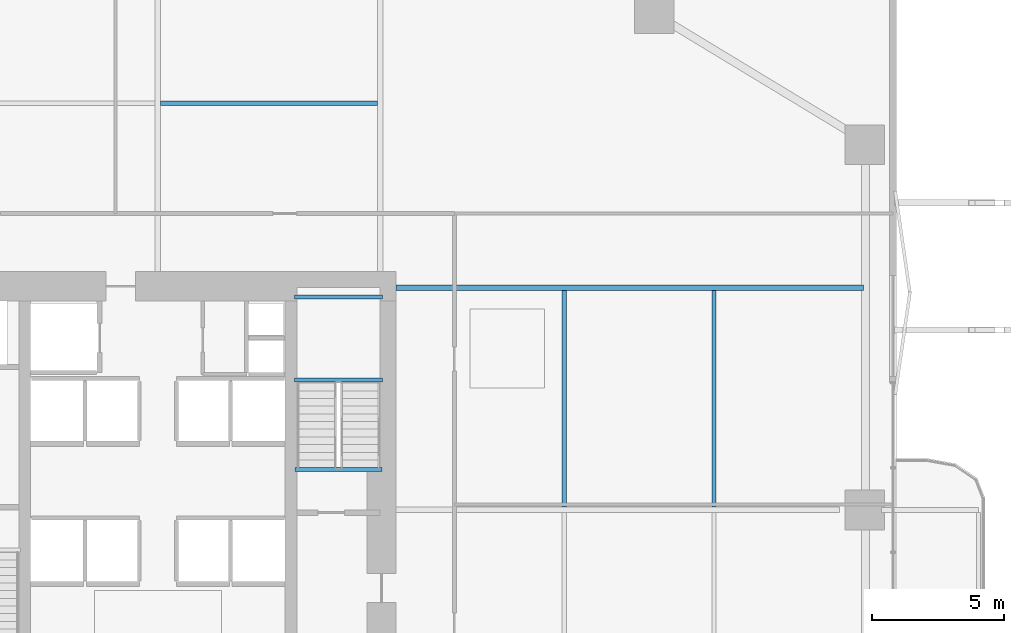
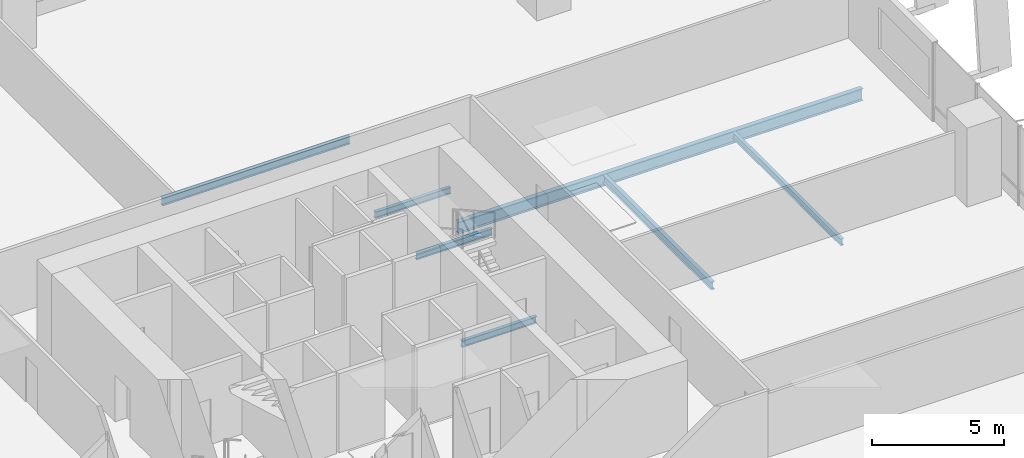
# One storey, part 18 of 30: 7 beams.
"""IFC4 building model written with IfcOpenShell, lengths in metres."""

import ifcopenshell
import ifcopenshell.guid

model = None  # the IFC model being written
_history = None  # IfcOwnerHistory: only IFC2X3 demands one
_inside = {}  # id of a spatial element -> (the spatial element, [elements in it])
_under = {}  # id of a project, library or spatial element -> (it, [spatial elements below it])
_declared = {}  # id of a project -> (the project, [libraries it declares])
_typed = {}  # id of a type object -> (the type object, [elements of that type])
_made_of = {}  # id of a material, layer set ... -> (it, [elements and type objects made of it])


def new_model(schema):
    """Start an empty IFC model of exactly this schema.

    Asked for "IFC4X3", IfcOpenShell would pick the latest addendum, in which some entities
    have other attributes; the version numbers below select the first issue.
    IFC2X3 requires an IfcOwnerHistory on every rooted entity: one is made here for all.
    """
    global model, _history
    if schema == "IFC4X3":
        model = ifcopenshell.file(schema_version=(4, 3, 0, 0))
    else:
        model = ifcopenshell.file(schema=schema)
    _inside.clear()
    _under.clear()
    _declared.clear()
    _typed.clear()
    _made_of.clear()
    _history = None
    if model.schema == "IFC2X3":
        org = make("IfcOrganization", Name="unknown")
        user = make(
            "IfcPersonAndOrganization",
            ThePerson=make("IfcPerson", FamilyName="unknown"),
            TheOrganization=org,
        )
        app = make(
            "IfcApplication",
            ApplicationDeveloper=org,
            Version="unknown",
            ApplicationFullName="unknown",
            ApplicationIdentifier="unknown",
        )
        _history = make(
            "IfcOwnerHistory",
            OwningUser=user,
            OwningApplication=app,
            ChangeAction="ADDED",
            CreationDate=0,
        )
    return model


def make(cls, **values):
    """One entity of the class cls with the attributes given. An attribute that is None is left unset."""
    return model.create_entity(
        cls, **{name: value for name, value in values.items() if value is not None}
    )


def rooted(cls, **values):
    """An entity with a GlobalId (a new one), such as an element, a storey or a relation."""
    return make(cls, GlobalId=ifcopenshell.guid.new(), OwnerHistory=_history, **values)


def si_unit(unit_type, name, prefix=None):
    """IfcSIUnit, for example si_unit("LENGTHUNIT", "METRE", prefix="MILLI")."""
    return make("IfcSIUnit", UnitType=unit_type, Prefix=prefix, Name=name)


def assignment(units):
    """IfcUnitAssignment: the units of a project."""
    return None if units is None else make("IfcUnitAssignment", Units=units)


def point(xyz):
    """IfcCartesianPoint."""
    return None if xyz is None else make("IfcCartesianPoint", Coordinates=xyz)


def direction(xyz):
    """IfcDirection."""
    return None if xyz is None else make("IfcDirection", DirectionRatios=xyz)


def frame(location, z_axis=None, x_axis=None):
    """IfcAxis2Placement3D, a coordinate frame: its origin and axes. An axis left out is left unset."""
    return make(
        "IfcAxis2Placement3D",
        Location=point(location),
        Axis=direction(z_axis),
        RefDirection=direction(x_axis),
    )


def frame_2d(location, x_axis=None):
    """IfcAxis2Placement2D, a coordinate frame in the plane: its origin and x axis."""
    return make(
        "IfcAxis2Placement2D", Location=point(location), RefDirection=direction(x_axis)
    )


def origin():
    """The frame at (0, 0, 0) with its axes left unset."""
    return frame((0.0, 0.0, 0.0))


def origin_2d():
    """The frame at (0, 0) in the plane with its x axis left unset."""
    return frame_2d((0.0, 0.0))


def place(relative_to, where):
    """IfcLocalPlacement: puts the frame where relative to a parent placement (None: the world)."""
    return make(
        "IfcLocalPlacement", PlacementRelTo=relative_to, RelativePlacement=where
    )


def context(
    kind, dimensions, precision=None, world=None, true_north=None, identifier=None
):
    """IfcGeometricRepresentationContext, for example the 3D "Model" context."""
    return make(
        "IfcGeometricRepresentationContext",
        ContextIdentifier=identifier,
        ContextType=kind,
        CoordinateSpaceDimension=dimensions,
        Precision=precision,
        WorldCoordinateSystem=world,
        TrueNorth=true_north,
    )


def subcontext(parent, identifier, kind, view, scale=None):
    """IfcGeometricRepresentationSubContext, for example "Body" below "Model"."""
    return make(
        "IfcGeometricRepresentationSubContext",
        ContextIdentifier=identifier,
        ContextType=kind,
        ParentContext=parent,
        TargetScale=scale,
        TargetView=view,
    )


def project(units=None, contexts=None):
    """IfcProject with its units and contexts."""
    return rooted(
        "IfcProject",
        Name="project",
        RepresentationContexts=contexts,
        UnitsInContext=assignment(units),
    )


def spatial(cls, under=None, at=None, **own):
    """A site, building, storey or space (cls), placed at a placement, below another one or the project."""
    s = rooted(cls, ObjectPlacement=at, **own)
    if under is not None:
        _under.setdefault(under.id(), (under, []))[1].append(s)
    return s


def profile(cls, at=None, kind="AREA", **sizes):
    """A parametric profile (cls). Its sizes go by their IFC names, for example OverallWidth=200.0."""
    return make(cls, ProfileType=kind, Position=at, **sizes)


def i_section(**sizes):
    """IfcIShapeProfileDef."""
    return profile("IfcIShapeProfileDef", **sizes)


def extrude(swept, where, along, depth):
    """IfcExtrudedAreaSolid: the profile swept, set in the frame where, extruded along a direction by depth."""
    return make(
        "IfcExtrudedAreaSolid",
        SweptArea=swept,
        Position=where,
        ExtrudedDirection=direction(along),
        Depth=depth,
    )


def shape(context_of_items, identifier, shape_type, items):
    """IfcShapeRepresentation: the items that make up one representation, for example the "Body"."""
    return make(
        "IfcShapeRepresentation",
        ContextOfItems=context_of_items,
        RepresentationIdentifier=identifier,
        RepresentationType=shape_type,
        Items=items,
    )


def material(Name=None, Category=None):
    """IfcMaterial."""
    return make("IfcMaterial", Name=Name, Category=Category)


def material_profile(
    of_material, cross_section, Name=None, Category=None, Priority=None
):
    """IfcMaterialProfile: a cross section and its material."""
    return make(
        "IfcMaterialProfile",
        Name=Name,
        Material=of_material,
        Profile=cross_section,
        Priority=Priority,
        Category=Category,
    )


def profile_set(profiles, Name=None, composite=None):
    """IfcMaterialProfileSet."""
    return make(
        "IfcMaterialProfileSet",
        Name=Name,
        MaterialProfiles=profiles,
        CompositeProfile=composite,
    )


def made_of(thing, what):
    """Note that an element or type object is made of a material, layer set ...; save() writes the relation."""
    if what is not None:
        _made_of.setdefault(what.id(), (what, []))[1].append(thing)
    return thing


def type_object(cls, material=None, **own):
    """A type object (cls), such as IfcWallType, which elements share."""
    return made_of(rooted(cls, **own), material)


def element(
    cls,
    number,
    at=None,
    inside=None,
    cuts=None,
    type_object=None,
    material=None,
    context=None,
    identifier="Body",
    shape_type=None,
    held_by="IfcProductDefinitionShape",
    body=None,
    shapes=None,
    **own,
):
    """One element of the class cls, such as IfcWall. Its Tag is "e" and its number.

    at: its placement. inside: the storey or other place that contains it. cuts: it is an
    opening in that element (IfcRelVoidsElement). A single representation is given by context,
    identifier, shape_type and body (its items); several are given by shapes. held_by: the class
    of the entity that holds the representations. save() writes the other relations.
    """
    e = rooted(cls, Tag="e%d" % number, ObjectPlacement=at, **own)
    if body is not None:
        shapes = [shape(context, identifier, shape_type, body)]
    if shapes is not None:
        e.Representation = make(held_by, Representations=shapes)
    if inside is not None:
        _inside.setdefault(inside.id(), (inside, []))[1].append(e)
    if cuts is not None:
        rooted(
            "IfcRelVoidsElement", RelatingBuildingElement=cuts, RelatedOpeningElement=e
        )
    if type_object is not None:
        _typed.setdefault(type_object.id(), (type_object, []))[1].append(e)
    return made_of(e, material)


def aggregate(whole, parts):
    """IfcRelAggregates: a whole, such as a stair, and the parts it consists of."""
    return rooted("IfcRelAggregates", RelatingObject=whole, RelatedObjects=parts)


def save(model, path):
    """Write the relations noted so far, then the file.

    IfcRelAggregates (storeys below a building ...), IfcRelContainedInSpatialStructure (elements
    in a storey), IfcRelDefinesByType, IfcRelAssociatesMaterial and IfcRelDeclares: one each for
    every whole, place, type object, material and project.
    """
    for whole, parts in _under.values():
        aggregate(whole, parts)
    for where, things in _inside.values():
        rooted(
            "IfcRelContainedInSpatialStructure",
            RelatedElements=things,
            RelatingStructure=where,
        )
    for kind, things in _typed.values():
        rooted("IfcRelDefinesByType", RelatedObjects=things, RelatingType=kind)
    for what, things in _made_of.values():
        rooted("IfcRelAssociatesMaterial", RelatedObjects=things, RelatingMaterial=what)
    for by, libraries in _declared.values():
        rooted("IfcRelDeclares", RelatingContext=by, RelatedDefinitions=libraries)
    model.write(path)


model = new_model("IFC4")

# Units and contexts
model_context = context("Model", 3, precision=1e-05, world=origin(), true_north=direction((0.0, 1.0)))
body_context = subcontext(model_context, "Body", "Model", "MODEL_VIEW")
ifc_project = project(units=[si_unit("LENGTHUNIT", "METRE"), si_unit("AREAUNIT", "SQUARE_METRE"), si_unit("VOLUMEUNIT", "CUBIC_METRE"), si_unit("PLANEANGLEUNIT", "RADIAN"), si_unit("MASSUNIT", "GRAM", prefix="KILO")], contexts=[model_context])

# Site, building, storey
site_placement = place(None, origin())
site = spatial("IfcSite", under=ifc_project, at=site_placement, CompositionType="ELEMENT")
building_placement = place(site_placement, origin())
building = spatial("IfcBuilding", under=site, at=building_placement, Name="Belovzor Exchange Tower", CompositionType="ELEMENT")
storey_placement = place(building_placement, frame((0.0, 0.0, 30.0)))
storey = spatial("IfcBuildingStorey", under=building, at=storey_placement, Name="L06", CompositionType="ELEMENT", Elevation=30.0)

# Beams
ifc_material_1 = material(Name="Steel S355", Category="steel")
ifc_material_profile_1 = material_profile(ifc_material_1, i_section(OverallWidth=0.169921875, OverallDepth=0.360107421875, WebThickness=0.008056640625, FlangeThickness=0.0126953125, at=origin_2d()))
ifc_profile_set_1 = profile_set([ifc_material_profile_1], Name="Steel S355")
beam_type_1 = type_object("IfcBeamType", Name="Secondary Infill Floor Joist IPE 360", PredefinedType="BEAM", material=ifc_profile_set_1)
for number, where, z_axis, x_axis, name in (
    (1, (28.905029296875, 44.156005859375, -0.429931640625), (1.0, 0.0, 0.0), (0.0, 1.0, 0.0), "FJ-360 Secondary Infill Floor Joist IPE 360"),
    (2, (44.156005859375, 28.905029296875, -0.429931640625), (0.0, 1.0, 0.0), (-1.0, 0.0, 0.0), "FJ-360 Secondary Infill Floor Joist IPE 360"),
):
    element("IfcBeam", number, at=place(storey_placement, frame(where, z_axis=z_axis, x_axis=x_axis)), inside=storey, type_object=beam_type_1, Name=name, PredefinedType="BEAM", context=body_context, shape_type="SweptSolid", body=[
        extrude(i_section(OverallWidth=0.169921875, OverallDepth=0.360107421875, WebThickness=0.008056640625, FlangeThickness=0.0126953125, at=origin_2d()), origin(), (0.0, 0.0, 1.0), 8.18994140625),
    ])
ifc_material_2 = material(Name="Steel S355", Category="steel")
ifc_material_profile_2 = material_profile(ifc_material_2, i_section(OverallWidth=0.14990234375, OverallDepth=0.300048828125, WebThickness=0.007080078125, FlangeThickness=0.0107421875, at=origin_2d()))
ifc_profile_set_2 = profile_set([ifc_material_profile_2], Name="Steel S355")
beam_type_2 = type_object("IfcBeamType", Name="Secondary Trim Floor Joist IPE 300", PredefinedType="BEAM", material=ifc_profile_set_2)
for number, where, z_axis, x_axis, name in (
    (3, (37.280029296875, 33.7099609375, 1.60009765625), (-1.0, 0.0, 0.0), (0.0, -1.0, 0.0), "FJ-300 Secondary Trim Floor Joist IPE 300"),
    (4, (37.280029296875, 36.85009765625, 1.60009765625), (-1.0, 0.0, 0.0), (0.0, -1.0, 0.0), "FJ-300 Secondary Trim Floor Joist IPE 300"),
):
    element("IfcBeam", number, at=place(storey_placement, frame(where, z_axis=z_axis, x_axis=x_axis)), inside=storey, type_object=beam_type_2, Name=name, PredefinedType="BEAM", context=body_context, shape_type="SweptSolid", body=[
        extrude(i_section(OverallWidth=0.14990234375, OverallDepth=0.300048828125, WebThickness=0.007080078125, FlangeThickness=0.0107421875, at=origin_2d()), origin(), (0.0, 0.0, 1.0), 3.31005859375),
    ])
beam_1_placement = place(storey_placement, frame((37.260009765625, 30.320068359375, -0.39990234375), z_axis=(-1.0, 0.0, 0.0), x_axis=(0.0, -1.0, 0.0)))
element("IfcBeam", 5, at=beam_1_placement, inside=storey, type_object=beam_type_2, Name="FJ-300 Secondary Trim Floor Joist IPE 300", PredefinedType="BEAM", context=body_context, shape_type="SweptSolid", body=[
    extrude(i_section(OverallWidth=0.14990234375, OverallDepth=0.300048828125, WebThickness=0.007080078125, FlangeThickness=0.0107421875, at=origin_2d()), origin(), (0.0, 0.0, 1.0), 3.27001953125),
])
beam_2_placement = place(storey_placement, frame((49.804931640625, 28.905029296875, -0.39990234375), z_axis=(0.0, 1.0, 0.0), x_axis=(-1.0, 0.0, 0.0)))
element("IfcBeam", 6, at=beam_2_placement, inside=storey, type_object=beam_type_2, Name="FJ-300 Secondary Trim Floor Joist IPE 300", PredefinedType="BEAM", context=body_context, shape_type="SweptSolid", body=[
    extrude(i_section(OverallWidth=0.14990234375, OverallDepth=0.300048828125, WebThickness=0.007080078125, FlangeThickness=0.0107421875, at=origin_2d()), origin(), (0.0, 0.0, 1.0), 8.18994140625),
])
ifc_material_3 = material(Name="Steel S355", Category="steel")
ifc_material_profile_3 = material_profile(ifc_material_3, i_section(OverallWidth=0.2099609375, OverallDepth=0.550048828125, WebThickness=0.010986328125, FlangeThickness=0.01708984375, at=origin_2d()))
ifc_profile_set_3 = profile_set([ifc_material_profile_3], Name="Steel S355")
beam_type_3 = type_object("IfcBeamType", Name="Zone 1 Radial Composite Floor Beam IPE 550", PredefinedType="BEAM", material=ifc_profile_set_3)
beam_3_placement = place(storey_placement, frame((37.800048828125, 37.199951171875, -0.52490234375), z_axis=(1.0, 0.0, 0.0), x_axis=(0.0, 1.0, 0.0)))
element("IfcBeam", 7, at=beam_3_placement, inside=storey, type_object=beam_type_3, Name="FB-550 Zone 1 Radial Composite Floor Beam IPE 550", PredefinedType="BEAM", context=body_context, shape_type="SweptSolid", body=[
    extrude(i_section(OverallWidth=0.2099609375, OverallDepth=0.550048828125, WebThickness=0.010986328125, FlangeThickness=0.01708984375, at=origin_2d()), origin(), (0.0, 0.0, 1.0), 17.655029296875),
])

save(model, "model.ifc")
